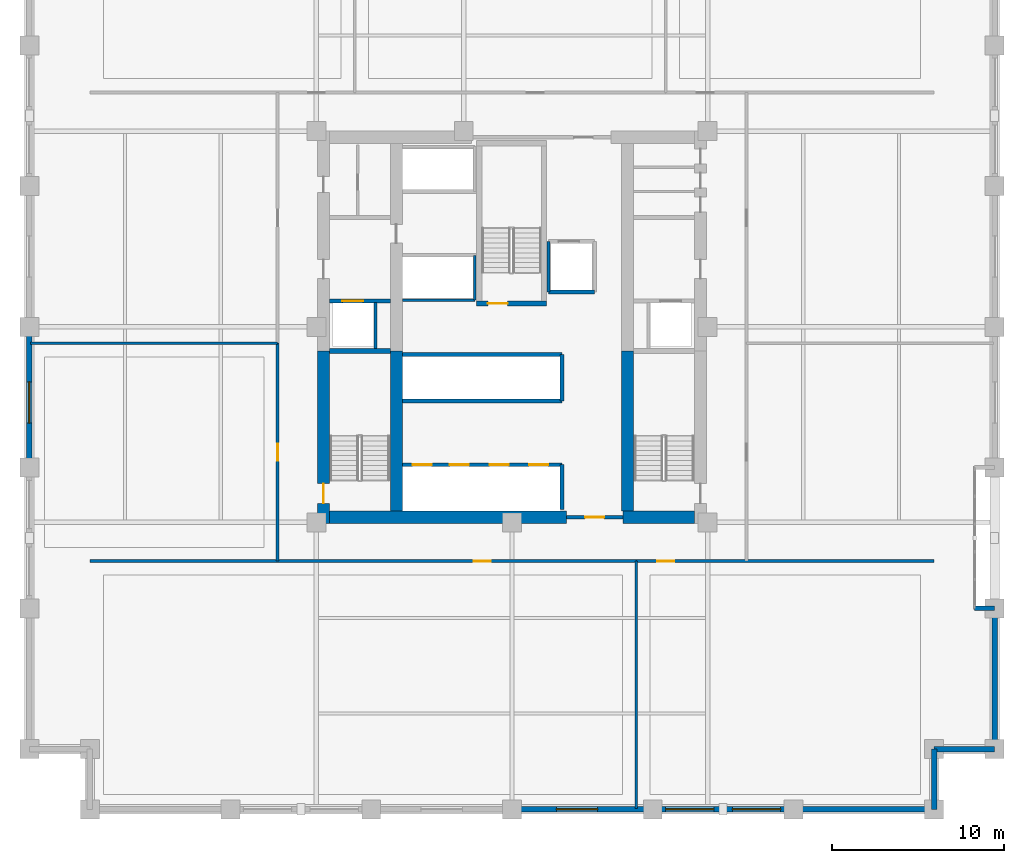
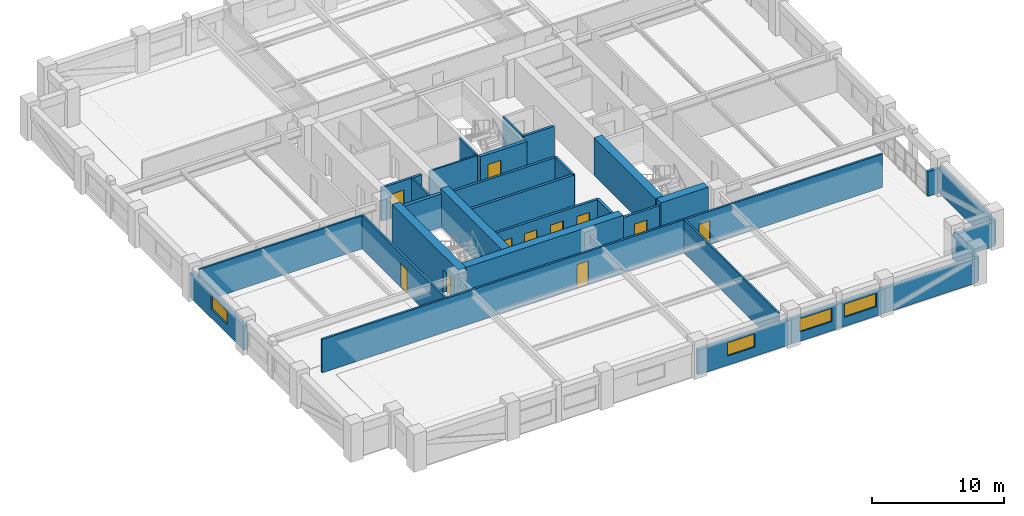
# One storey, part 4 of 12: 32 walls, 11 doors, 4 windows, 15 openings.
"""IFC4 building model written with IfcOpenShell, lengths in metres."""

from ifc_helpers import new_model, si_unit, direction, frame, frame_2d, origin, place, context, subcontext, project, spatial, rectangle, extrude, material, layer, layer_set, type_object, element, fill, save


model = new_model("IFC4")

# Units and contexts
model_context = context("Model", 3, precision=1e-05, world=origin(), true_north=direction((0.0, 1.0)))
body_context = subcontext(model_context, "Body", "Model", "MODEL_VIEW")
ifc_project = project(units=[si_unit("LENGTHUNIT", "METRE"), si_unit("AREAUNIT", "SQUARE_METRE"), si_unit("VOLUMEUNIT", "CUBIC_METRE"), si_unit("PLANEANGLEUNIT", "RADIAN"), si_unit("MASSUNIT", "GRAM", prefix="KILO")], contexts=[model_context])

# Site, building, storey
site_placement = place(None, origin())
site = spatial("IfcSite", under=ifc_project, at=site_placement, CompositionType="ELEMENT")
building_placement = place(site_placement, origin())
building = spatial("IfcBuilding", under=site, at=building_placement, Name="Nhamokura Convention Tower", CompositionType="ELEMENT")
storey_placement = place(building_placement, frame((0.0, 0.0, 96.25)))
storey = spatial("IfcBuildingStorey", under=building, at=storey_placement, Name="L23", CompositionType="ELEMENT", Elevation=96.25)

# Wall, opening, window
ifc_material_1 = material(Name="Bronze-pigmented precast concrete C45/55", Category="concrete")
ifc_layer_1 = layer(ifc_material_1, 0.320068359375)
ifc_layer_set_1 = layer_set([ifc_layer_1], Name="BronzePrecastSpandrel_320")
wall_type_1 = type_object("IfcWallType", Name="BronzePrecastSpandrel_320", PredefinedType="USERDEFINED", material=ifc_layer_set_1)
wall_1_placement = place(storey_placement, frame((40.166748046875, 4.0, 0.0), z_axis=(0.0, 0.0, 1.0), x_axis=(-1.0, 0.0, 0.0)))
wall_1 = element("IfcWall", 1, at=wall_1_placement, inside=storey, type_object=wall_type_1, Name="L23 Masonry-Frame Wall SOUTH 3", ObjectType="SPANDREL_WALL", PredefinedType="USERDEFINED", context=body_context, shape_type="SweptSolid", body=[
    extrude(rectangle(XDim=8.166748046875, YDim=0.320068359375, at=frame_2d((4.08349609375, 0.0))), origin(), (0.0, 0.0, 1.0), 2.280029296875),
])
opening_1_placement = place(wall_1_placement, frame((3.19580078125, 0.0, 0.85009765625)))
opening_1 = element("IfcOpeningElement", 2, at=opening_1_placement, cuts=wall_1, Name="Opening W-03", PredefinedType="OPENING", context=body_context, shape_type="SweptSolid", body=[
    extrude(rectangle(XDim=2.39990234375, YDim=1.22998046875, at=frame_2d((1.199951171875, 0.614990234375))), frame((0.0, 0.169921875, 0.0), z_axis=(0.0, -1.0, 0.0), x_axis=(1.0, 0.0, 0.0)), (0.0, 0.0, 1.0), 0.340087890625),
])
ifc_material_2 = material(Name="Solar-control bronze low-E double glass", Category="glass")
window_type_1 = type_object("IfcWindowType", Name="HotelBayWindow_2400", PartitioningType="DOUBLE_PANEL_VERTICAL", PredefinedType="WINDOW", material=ifc_material_2)
window_1_placement = place(opening_1_placement, origin())
window_1 = element("IfcWindow", 3, at=window_1_placement, inside=storey, type_object=window_type_1, Name="L23 Facade Window SOUTH 3", OverallHeight=1.22998046875, OverallWidth=2.39990234375, PartitioningType="SINGLE_PANEL", PredefinedType="WINDOW", context=body_context, shape_type="SweptSolid", body=[
    extrude(rectangle(XDim=2.39990234375, YDim=1.22998046875, at=frame_2d((1.199951171875, 0.614990234375))), frame((0.0, 0.030029296875, 0.0), z_axis=(0.0, -1.0, 0.0), x_axis=(1.0, 0.0, 0.0)), (0.0, 0.0, 1.0), 0.06005859375),
])
fill(opening_1, window_1)

# Wall, openings, windows
wall_2_placement = place(storey_placement, frame((48.333251953125, 4.0, 0.0), z_axis=(0.0, 0.0, 1.0), x_axis=(-1.0, 0.0, 0.0)))
wall_2 = element("IfcWall", 4, at=wall_2_placement, inside=storey, type_object=wall_type_1, Name="L23 Masonry-Frame Wall SOUTH 4", ObjectType="SPANDREL_WALL", PredefinedType="USERDEFINED", context=body_context, shape_type="SweptSolid", body=[
    extrude(rectangle(XDim=8.16650390625, YDim=0.320068359375, at=frame_2d((4.083251953125, 0.0))), origin(), (0.0, 0.0, 1.0), 2.280029296875),
])
opening_2_placement = place(wall_2_placement, frame((0.74169921875, 0.0, 0.85009765625)))
opening_2 = element("IfcOpeningElement", 5, at=opening_2_placement, cuts=wall_2, Name="Opening W-04", PredefinedType="OPENING", context=body_context, shape_type="SweptSolid", body=[
    extrude(rectangle(XDim=2.800048828125, YDim=1.22998046875, at=frame_2d((1.39990234375, 0.614990234375))), frame((0.0, 0.169921875, 0.0), z_axis=(0.0, -1.0, 0.0), x_axis=(1.0, 0.0, 0.0)), (0.0, 0.0, 1.0), 0.340087890625),
])
opening_3_placement = place(wall_2_placement, frame((4.625, 0.0, 0.85009765625)))
opening_3 = element("IfcOpeningElement", 6, at=opening_3_placement, cuts=wall_2, Name="Opening W-04", PredefinedType="OPENING", context=body_context, shape_type="SweptSolid", body=[
    extrude(rectangle(XDim=2.800048828125, YDim=1.22998046875, at=frame_2d((1.39990234375, 0.614990234375))), frame((0.0, 0.169921875, 0.0), z_axis=(0.0, -1.0, 0.0), x_axis=(1.0, 0.0, 0.0)), (0.0, 0.0, 1.0), 0.340087890625),
])
ifc_material_3 = material(Name="Solar-control bronze low-E double glass", Category="glass")
window_type_2 = type_object("IfcWindowType", Name="HotelSuiteWindow_2800", PartitioningType="DOUBLE_PANEL_VERTICAL", PredefinedType="WINDOW", material=ifc_material_3)
window_2_placement = place(opening_2_placement, origin())
window_2 = element("IfcWindow", 7, at=window_2_placement, inside=storey, type_object=window_type_2, Name="L23 Facade Window SOUTH 4-1", OverallHeight=1.22998046875, OverallWidth=2.800048828125, PartitioningType="SINGLE_PANEL", PredefinedType="WINDOW", context=body_context, shape_type="SweptSolid", body=[
    extrude(rectangle(XDim=2.800048828125, YDim=1.22998046875, at=frame_2d((1.39990234375, 0.614990234375))), frame((0.0, 0.030029296875, 0.0), z_axis=(0.0, -1.0, 0.0), x_axis=(1.0, 0.0, 0.0)), (0.0, 0.0, 1.0), 0.06005859375),
])
fill(opening_2, window_2)
window_3_placement = place(opening_3_placement, origin())
window_3 = element("IfcWindow", 8, at=window_3_placement, inside=storey, type_object=window_type_2, Name="L23 Facade Window SOUTH 4-2", OverallHeight=1.22998046875, OverallWidth=2.800048828125, PartitioningType="SINGLE_PANEL", PredefinedType="WINDOW", context=body_context, shape_type="SweptSolid", body=[
    extrude(rectangle(XDim=2.800048828125, YDim=1.22998046875, at=frame_2d((1.39990234375, 0.614990234375))), frame((0.0, 0.030029296875, 0.0), z_axis=(0.0, -1.0, 0.0), x_axis=(1.0, 0.0, 0.0)), (0.0, 0.0, 1.0), 0.06005859375),
])
fill(opening_3, window_3)

# Wall
wall_3_placement = place(storey_placement, frame((56.5, 4.0, 0.0), z_axis=(0.0, 0.0, 1.0), x_axis=(-1.0, 0.0, 0.0)))
element("IfcWall", 9, at=wall_3_placement, inside=storey, type_object=wall_type_1, Name="L23 Braced-Bay Precast Wall SOUTH 5", ObjectType="SPANDREL_WALL", PredefinedType="USERDEFINED", context=body_context, shape_type="SweptSolid", body=[
    extrude(rectangle(XDim=8.166748046875, YDim=0.320068359375, at=frame_2d((4.08349609375, 0.0))), origin(), (0.0, 0.0, 1.0), 2.280029296875),
])

# Wall, opening, window
wall_4_placement = place(storey_placement, frame((4.0, 23.833251953125, 0.0), z_axis=(0.0, 0.0, 1.0), x_axis=(0.0, 1.0, 0.0)))
wall_4 = element("IfcWall", 10, at=wall_4_placement, inside=storey, type_object=wall_type_1, Name="L23 Masonry-Frame Wall WEST 2", ObjectType="SPANDREL_WALL", PredefinedType="USERDEFINED", context=body_context, shape_type="SweptSolid", body=[
    extrude(rectangle(XDim=8.166748046875, YDim=0.320068359375, at=frame_2d((4.08349609375, 0.0))), origin(), (0.0, 0.0, 1.0), 2.280029296875),
])
opening_4_placement = place(wall_4_placement, frame((2.57080078125, 0.0, 0.85009765625)))
opening_4 = element("IfcOpeningElement", 11, at=opening_4_placement, cuts=wall_4, Name="Opening W-03", PredefinedType="OPENING", context=body_context, shape_type="SweptSolid", body=[
    extrude(rectangle(XDim=2.39990234375, YDim=1.22998046875, at=frame_2d((1.199951171875, 0.614990234375))), frame((0.0, 0.169921875, 0.0), z_axis=(0.0, -1.0, 0.0), x_axis=(1.0, 0.0, 0.0)), (0.0, 0.0, 1.0), 0.340087890625),
])
window_4_placement = place(opening_4_placement, origin())
window_4 = element("IfcWindow", 12, at=window_4_placement, inside=storey, type_object=window_type_1, Name="L23 Facade Window WEST 2", OverallHeight=1.22998046875, OverallWidth=2.39990234375, PartitioningType="SINGLE_PANEL", PredefinedType="WINDOW", context=body_context, shape_type="SweptSolid", body=[
    extrude(rectangle(XDim=2.39990234375, YDim=1.22998046875, at=frame_2d((1.199951171875, 0.614990234375))), frame((0.0, 0.030029296875, 0.0), z_axis=(0.0, -1.0, 0.0), x_axis=(1.0, 0.0, 0.0)), (0.0, 0.0, 1.0), 0.06005859375),
])
fill(opening_4, window_4)

# Walls
wall_5_placement = place(storey_placement, frame((60.0, 15.666748046875, 0.0), z_axis=(0.0, 0.0, 1.0), x_axis=(-1.0, 0.0, 0.0)))
element("IfcWall", 13, at=wall_5_placement, inside=storey, type_object=wall_type_1, Name="L23 Scale Slot Cheek Wall EASTA", ObjectType="SPANDREL_WALL", PredefinedType="USERDEFINED", context=body_context, shape_type="SweptSolid", body=[
    extrude(rectangle(XDim=1.14990234375, YDim=0.239990234375, at=frame_2d((0.574951171875, 0.0))), origin(), (0.0, 0.0, 1.0), 2.280029296875),
])
wall_6_placement = place(storey_placement, frame((60.0, 15.666748046875, 0.0), z_axis=(0.0, 0.0, 1.0), x_axis=(0.0, -1.0, 0.0)))
element("IfcWall", 14, at=wall_6_placement, inside=storey, type_object=wall_type_1, Name="L23 Braced-Bay Precast Wall EAST 0", ObjectType="SPANDREL_WALL", PredefinedType="USERDEFINED", context=body_context, shape_type="SweptSolid", body=[
    extrude(rectangle(XDim=8.166748046875, YDim=0.320068359375, at=frame_2d((4.08349609375, 0.0))), origin(), (0.0, 0.0, 1.0), 2.280029296875),
])
for number, where, z_axis, x_axis, name in (
    (15, (56.5, 7.5, 0.0), (0.0, 0.0, 1.0), (0.0, -1.0, 0.0), "L23 Notched Corner Wall SE1"),
    (16, (60.0, 7.5, 0.0), (0.0, 0.0, 1.0), (-1.0, 0.0, 0.0), "L23 Notched Corner Wall SE2"),
):
    element("IfcWall", number, at=place(storey_placement, frame(where, z_axis=z_axis, x_axis=x_axis)), inside=storey, type_object=wall_type_1, Name=name, ObjectType="SPANDREL_WALL", PredefinedType="USERDEFINED", context=body_context, shape_type="SweptSolid", body=[
        extrude(rectangle(XDim=3.5, YDim=0.320068359375, at=frame_2d((1.75, 0.0))), origin(), (0.0, 0.0, 1.0), 2.280029296875),
    ])

# Wall, opening, door
ifc_material_4 = material(Name="Concrete C70/85", Category="concrete")
ifc_layer_2 = layer(ifc_material_4, 0.699951171875)
ifc_layer_set_2 = layer_set([ifc_layer_2], Name="CoreShearWall_700")
wall_type_2 = type_object("IfcWallType", Name="CoreShearWall_700", PredefinedType="SHEAR", material=ifc_layer_set_2)
wall_7_placement = place(storey_placement, frame((21.06005859375, 20.60009765625, 0.0), z_axis=(0.0, 0.0, 1.0), x_axis=(0.0, 1.0, 0.0)))
wall_7 = element("IfcWall", 17, at=wall_7_placement, inside=storey, type_object=wall_type_2, Name="L23 Core Shear Wall CW-WS", PredefinedType="SHEAR", context=body_context, shape_type="SweptSolid", body=[
    extrude(rectangle(XDim=10.0, YDim=0.699951171875, at=frame_2d((5.0, 0.0))), origin(), (0.0, 0.0, 1.0), 3.5),
])
opening_5_placement = place(wall_7_placement, frame((1.14990234375, 0.0, 0.0)))
opening_5 = element("IfcOpeningElement", 18, at=opening_5_placement, cuts=wall_7, Name="Opening D-04", PredefinedType="OPENING", context=body_context, shape_type="SweptSolid", body=[
    extrude(rectangle(XDim=1.14990234375, YDim=2.14990234375, at=frame_2d((0.574951171875, 1.074951171875))), frame((0.0, 0.35986328125, 0.0), z_axis=(0.0, -1.0, 0.0), x_axis=(1.0, 0.0, 0.0)), (0.0, 0.0, 1.0), 0.719970703125),
])
ifc_material_5 = material(Name="Fire-rated steel door", Category="steel")
door_type_1 = type_object("IfcDoorType", Name="StairSmokeDoor_1150", OperationType="NOTDEFINED", PredefinedType="DOOR", material=ifc_material_5)
door_1_placement = place(opening_5_placement, origin())
door_1 = element("IfcDoor", 19, at=door_1_placement, inside=storey, type_object=door_type_1, Name="L23 Core Door INT-L23-D-ST01", OperationType="SINGLE_SWING_LEFT", OverallHeight=2.14990234375, OverallWidth=1.14990234375, PredefinedType="DOOR", context=body_context, shape_type="SweptSolid", body=[
    extrude(rectangle(XDim=1.14990234375, YDim=2.14990234375, at=frame_2d((0.574951171875, 1.074951171875))), frame((0.0, 0.02490234375, 0.0), z_axis=(0.0, -1.0, 0.0), x_axis=(1.0, 0.0, 0.0)), (0.0, 0.0, 1.0), 0.050048828125),
])
fill(opening_5, door_1)

# Walls
wall_8_placement = place(storey_placement, frame((21.409912109375, 20.949951171875, 0.0), z_axis=(0.0, 0.0, 1.0), x_axis=(1.0, 0.0, 0.0)))
element("IfcWall", 20, at=wall_8_placement, inside=storey, type_object=wall_type_2, Name="L23 Core Shear Wall CW-S1", PredefinedType="SHEAR", context=body_context, shape_type="SweptSolid", body=[
    extrude(rectangle(XDim=13.739990234375, YDim=0.699951171875, at=frame_2d((6.8701171875, 0.0))), origin(), (0.0, 0.0, 1.0), 3.5),
])
wall_9_placement = place(storey_placement, frame((38.449951171875, 20.949951171875, 0.0), z_axis=(0.0, 0.0, 1.0), x_axis=(1.0, 0.0, 0.0)))
element("IfcWall", 21, at=wall_9_placement, inside=storey, type_object=wall_type_2, Name="L23 Core Shear Wall CW-S2", PredefinedType="SHEAR", context=body_context, shape_type="SweptSolid", body=[
    extrude(rectangle(XDim=4.14013671875, YDim=0.699951171875, at=frame_2d((2.070068359375, 0.0))), origin(), (0.0, 0.0, 1.0), 3.5),
])
for number, where, z_axis, x_axis, name in (
    (22, (25.2900390625, 21.300048828125, 0.0), (0.0, 0.0, 1.0), (0.0, 1.0, 0.0), "L23 Core Shear Wall CW-IWS"),
    (23, (38.7099609375, 21.300048828125, 0.0), (0.0, 0.0, 1.0), (0.0, 1.0, 0.0), "L23 Core Shear Wall CW-IES"),
):
    element("IfcWall", number, at=place(storey_placement, frame(where, z_axis=z_axis, x_axis=x_axis)), inside=storey, type_object=wall_type_2, Name=name, PredefinedType="SHEAR", context=body_context, shape_type="SweptSolid", body=[
        extrude(rectangle(XDim=9.300048828125, YDim=0.699951171875, at=frame_2d((4.64990234375, 0.0))), origin(), (0.0, 0.0, 1.0), 3.5),
    ])

# Wall, opening, door
ifc_material_6 = material(Name="Fire-rated gypsum and masonry partition", Category="masonry")
ifc_layer_3 = layer(ifc_material_6, 0.179931640625)
ifc_layer_set_3 = layer_set([ifc_layer_3], Name="CorridorRatedWall_180")
wall_type_3 = type_object("IfcWallType", Name="CorridorRatedWall_180", PredefinedType="STANDARD", material=ifc_layer_set_3)
wall_10_placement = place(storey_placement, frame((7.5, 18.39990234375, 0.0), z_axis=(0.0, 0.0, 1.0), x_axis=(1.0, 0.0, 0.0)))
wall_10 = element("IfcWall", 24, at=wall_10_placement, inside=storey, type_object=wall_type_3, Name="L23 Wall INT-L23-CW-S00", PredefinedType="STANDARD", context=body_context, shape_type="SweptSolid", body=[
    extrude(rectangle(XDim=31.716796875, YDim=0.179931640625, at=frame_2d((15.8583984375, 0.0))), origin(), (0.0, 0.0, 1.0), 3.080078125),
])
opening_6_placement = place(wall_10_placement, frame((22.283447265625, 0.0, 0.0)))
opening_6 = element("IfcOpeningElement", 25, at=opening_6_placement, cuts=wall_10, Name="Opening D-08", PredefinedType="OPENING", context=body_context, shape_type="SweptSolid", body=[
    extrude(rectangle(XDim=0.97998046875, YDim=2.199951171875, at=frame_2d((0.489990234375, 1.10009765625))), frame((0.0, 0.099853515625, 0.0), z_axis=(0.0, -1.0, 0.0), x_axis=(1.0, 0.0, 0.0)), (0.0, 0.0, 1.0), 0.199951171875),
])
ifc_material_7 = material(Name="Solid oak hardwood", Category="wood")
door_type_2 = type_object("IfcDoorType", Name="OfficeEntryDoor_980", OperationType="NOTDEFINED", PredefinedType="DOOR", material=ifc_material_7)
door_2_placement = place(opening_6_placement, origin())
door_2 = element("IfcDoor", 26, at=door_2_placement, inside=storey, type_object=door_type_2, Name="L23 Hotel Sky Club Lounge S01 Door", OperationType="SINGLE_SWING_LEFT", OverallHeight=2.199951171875, OverallWidth=0.97998046875, PredefinedType="DOOR", context=body_context, shape_type="SweptSolid", body=[
    extrude(rectangle(XDim=0.97998046875, YDim=2.199951171875, at=frame_2d((0.489990234375, 1.10009765625))), frame((0.0, 0.02490234375, 0.0), z_axis=(0.0, -1.0, 0.0), x_axis=(1.0, 0.0, 0.0)), (0.0, 0.0, 1.0), 0.050048828125),
])
fill(opening_6, door_2)

wall_11_placement = place(storey_placement, frame((39.216796875, 18.39990234375, 0.0), z_axis=(0.0, 0.0, 1.0), x_axis=(1.0, 0.0, 0.0)))
wall_11 = element("IfcWall", 27, at=wall_11_placement, inside=storey, type_object=wall_type_3, Name="L23 Wall INT-L23-CW-S01", PredefinedType="STANDARD", context=body_context, shape_type="SweptSolid", body=[
    extrude(rectangle(XDim=17.283203125, YDim=0.179931640625, at=frame_2d((8.6416015625, 0.0))), origin(), (0.0, 0.0, 1.0), 3.080078125),
])
opening_7_placement = place(wall_11_placement, frame((1.216796875, 0.0, 0.0)))
opening_7 = element("IfcOpeningElement", 28, at=opening_7_placement, cuts=wall_11, Name="Opening D-08", PredefinedType="OPENING", context=body_context, shape_type="SweptSolid", body=[
    extrude(rectangle(XDim=0.97998046875, YDim=2.199951171875, at=frame_2d((0.489990234375, 1.10009765625))), frame((0.0, 0.099853515625, 0.0), z_axis=(0.0, -1.0, 0.0), x_axis=(1.0, 0.0, 0.0)), (0.0, 0.0, 1.0), 0.199951171875),
])
door_3_placement = place(opening_7_placement, origin())
door_3 = element("IfcDoor", 29, at=door_3_placement, inside=storey, type_object=door_type_2, Name="L23 Private Dining Room S02 Door", OperationType="SINGLE_SWING_RIGHT", OverallHeight=2.199951171875, OverallWidth=0.97998046875, PredefinedType="DOOR", context=body_context, shape_type="SweptSolid", body=[
    extrude(rectangle(XDim=0.97998046875, YDim=2.199951171875, at=frame_2d((0.489990234375, 1.10009765625))), frame((0.0, 0.02490234375, 0.0), z_axis=(0.0, -1.0, 0.0), x_axis=(1.0, 0.0, 0.0)), (0.0, 0.0, 1.0), 0.050048828125),
])
fill(opening_7, door_3)

wall_12_placement = place(storey_placement, frame((18.39990234375, 18.39990234375, 0.0), z_axis=(0.0, 0.0, 1.0), x_axis=(0.0, 1.0, 0.0)))
wall_12 = element("IfcWall", 30, at=wall_12_placement, inside=storey, type_object=wall_type_3, Name="L23 Wall INT-L23-CW-W00", PredefinedType="STANDARD", context=body_context, shape_type="SweptSolid", body=[
    extrude(rectangle(XDim=12.650146484375, YDim=0.179931640625, at=frame_2d((6.3251953125, 0.0))), origin(), (0.0, 0.0, 1.0), 3.080078125),
])
opening_8_placement = place(wall_12_placement, frame((5.824951171875, 0.0, 0.0)))
opening_8 = element("IfcOpeningElement", 31, at=opening_8_placement, cuts=wall_12, Name="Opening D-08", PredefinedType="OPENING", context=body_context, shape_type="SweptSolid", body=[
    extrude(rectangle(XDim=0.97998046875, YDim=2.199951171875, at=frame_2d((0.489990234375, 1.10009765625))), frame((0.0, 0.099853515625, 0.0), z_axis=(0.0, -1.0, 0.0), x_axis=(1.0, 0.0, 0.0)), (0.0, 0.0, 1.0), 0.199951171875),
])
door_4_placement = place(opening_8_placement, origin())
door_4 = element("IfcDoor", 32, at=door_4_placement, inside=storey, type_object=door_type_2, Name="L23 Club Kitchen W01 Door", OperationType="SINGLE_SWING_LEFT", OverallHeight=2.199951171875, OverallWidth=0.97998046875, PredefinedType="DOOR", context=body_context, shape_type="SweptSolid", body=[
    extrude(rectangle(XDim=0.97998046875, YDim=2.199951171875, at=frame_2d((0.489990234375, 1.10009765625))), frame((0.0, 0.02490234375, 0.0), z_axis=(0.0, -1.0, 0.0), x_axis=(1.0, 0.0, 0.0)), (0.0, 0.0, 1.0), 0.050048828125),
])
fill(opening_8, door_4)

ifc_material_8 = material(Name="Autoclaved concrete blockwork", Category="masonry")
ifc_layer_4 = layer(ifc_material_8, 0.219970703125)
ifc_layer_set_4 = layer_set([ifc_layer_4], Name="FireLobbyWall_220")
wall_type_4 = type_object("IfcWallType", Name="FireLobbyWall_220", PredefinedType="STANDARD", material=ifc_layer_set_4)
wall_13_placement = place(storey_placement, frame((21.409912109375, 33.5, 0.0), z_axis=(0.0, 0.0, 1.0), x_axis=(1.0, 0.0, 0.0)))
wall_13 = element("IfcWall", 33, at=wall_13_placement, inside=storey, type_object=wall_type_4, Name="L23 Wall INT-L23-FFW-S", PredefinedType="STANDARD", context=body_context, shape_type="SweptSolid", body=[
    extrude(rectangle(XDim=3.530029296875, YDim=0.219970703125, at=frame_2d((1.76513671875, 0.0))), origin(), (0.0, 0.0, 1.0), 3.080078125),
])
opening_9_placement = place(wall_13_placement, frame((0.75, 0.0, 0.0)))
opening_9 = element("IfcOpeningElement", 34, at=opening_9_placement, cuts=wall_13, Name="Opening LD-02", PredefinedType="OPENING", context=body_context, shape_type="SweptSolid", body=[
    extrude(rectangle(XDim=1.199951171875, YDim=2.199951171875, at=frame_2d((0.60009765625, 1.10009765625))), frame((0.0, 0.119873046875, 0.0), z_axis=(0.0, -1.0, 0.0), x_axis=(1.0, 0.0, 0.0)), (0.0, 0.0, 1.0), 0.239990234375),
])
ifc_material_9 = material(Name="Anodised bronze stainless steel", Category="steel")
door_type_3 = type_object("IfcDoorType", Name="LiftLandingDoor_FireService", OperationType="DOUBLE_DOOR_SLIDING", PredefinedType="DOOR", material=ifc_material_9)
door_5_placement = place(opening_9_placement, origin())
door_5 = element("IfcDoor", 35, at=door_5_placement, inside=storey, type_object=door_type_3, Name="L23 Firefighting Lift LF-01 Door", OperationType="DOUBLE_DOOR_SLIDING", OverallHeight=2.199951171875, OverallWidth=1.199951171875, PredefinedType="DOOR", context=body_context, shape_type="SweptSolid", body=[
    extrude(rectangle(XDim=1.199951171875, YDim=2.199951171875, at=frame_2d((0.60009765625, 1.10009765625))), frame((0.0, 0.02490234375, 0.0), z_axis=(0.0, -1.0, 0.0), x_axis=(1.0, 0.0, 0.0)), (0.0, 0.0, 1.0), 0.050048828125),
])
fill(opening_9, door_5)

wall_14_placement = place(storey_placement, frame((35.14990234375, 20.949951171875, 0.0), z_axis=(0.0, 0.0, 1.0), x_axis=(1.0, 0.0, 0.0)))
wall_14 = element("IfcWall", 36, at=wall_14_placement, inside=storey, type_object=wall_type_4, Name="L23 Wall INT-L23-SPORT-S", PredefinedType="STANDARD", context=body_context, shape_type="SweptSolid", body=[
    extrude(rectangle(XDim=3.300048828125, YDim=0.219970703125, at=frame_2d((1.64990234375, 0.0))), origin(), (0.0, 0.0, 1.0), 3.080078125),
])
opening_10_placement = place(wall_14_placement, frame((1.10009765625, 0.0, 0.0)))
opening_10 = element("IfcOpeningElement", 37, at=opening_10_placement, cuts=wall_14, Name="Opening D-05", PredefinedType="OPENING", context=body_context, shape_type="SweptSolid", body=[
    extrude(rectangle(XDim=1.10009765625, YDim=2.14990234375, at=frame_2d((0.550048828125, 1.074951171875))), frame((0.0, 0.119873046875, 0.0), z_axis=(0.0, -1.0, 0.0), x_axis=(1.0, 0.0, 0.0)), (0.0, 0.0, 1.0), 0.239990234375),
])
ifc_material_10 = material(Name="Fire-rated steel door", Category="steel")
door_type_4 = type_object("IfcDoorType", Name="FireLobbyDoor_1100", OperationType="NOTDEFINED", PredefinedType="DOOR", material=ifc_material_10)
door_6_placement = place(opening_10_placement, origin())
door_6 = element("IfcDoor", 38, at=door_6_placement, inside=storey, type_object=door_type_4, Name="L23 South Core Lobby Portal Door", OperationType="SINGLE_SWING_LEFT", OverallHeight=2.14990234375, OverallWidth=1.10009765625, PredefinedType="DOOR", context=body_context, shape_type="SweptSolid", body=[
    extrude(rectangle(XDim=1.10009765625, YDim=2.14990234375, at=frame_2d((0.550048828125, 1.074951171875))), frame((0.0, 0.02490234375, 0.0), z_axis=(0.0, -1.0, 0.0), x_axis=(1.0, 0.0, 0.0)), (0.0, 0.0, 1.0), 0.050048828125),
])
fill(opening_10, door_6)

# Wall, openings, doors
wall_15_placement = place(storey_placement, frame((25.64990234375, 24.0, 0.0), z_axis=(0.0, 0.0, 1.0), x_axis=(1.0, 0.0, 0.0)))
wall_15 = element("IfcWall", 39, at=wall_15_placement, inside=storey, type_object=wall_type_4, Name="L23 Wall INT-L23-B1N", PredefinedType="STANDARD", context=body_context, shape_type="SweptSolid", body=[
    extrude(rectangle(XDim=9.25, YDim=0.219970703125, at=frame_2d((4.625, 0.0))), origin(), (0.0, 0.0, 1.0), 3.080078125),
])
opening_11_placement = place(wall_15_placement, frame((0.580078125, 0.0, 0.0)))
opening_11 = element("IfcOpeningElement", 40, at=opening_11_placement, cuts=wall_15, Name="Opening LD-01", PredefinedType="OPENING", context=body_context, shape_type="SweptSolid", body=[
    extrude(rectangle(XDim=1.10009765625, YDim=2.14990234375, at=frame_2d((0.550048828125, 1.074951171875))), frame((0.0, 0.119873046875, 0.0), z_axis=(0.0, -1.0, 0.0), x_axis=(1.0, 0.0, 0.0)), (0.0, 0.0, 1.0), 0.239990234375),
])
opening_12_placement = place(wall_15_placement, frame((2.75, 0.0, 0.0)))
opening_12 = element("IfcOpeningElement", 41, at=opening_12_placement, cuts=wall_15, Name="Opening LD-01", PredefinedType="OPENING", context=body_context, shape_type="SweptSolid", body=[
    extrude(rectangle(XDim=1.10009765625, YDim=2.14990234375, at=frame_2d((0.550048828125, 1.074951171875))), frame((0.0, 0.119873046875, 0.0), z_axis=(0.0, -1.0, 0.0), x_axis=(1.0, 0.0, 0.0)), (0.0, 0.0, 1.0), 0.239990234375),
])
opening_13_placement = place(wall_15_placement, frame((5.050048828125, 0.0, 0.0)))
opening_13 = element("IfcOpeningElement", 42, at=opening_13_placement, cuts=wall_15, Name="Opening LD-01", PredefinedType="OPENING", context=body_context, shape_type="SweptSolid", body=[
    extrude(rectangle(XDim=1.10009765625, YDim=2.14990234375, at=frame_2d((0.550048828125, 1.074951171875))), frame((0.0, 0.119873046875, 0.0), z_axis=(0.0, -1.0, 0.0), x_axis=(1.0, 0.0, 0.0)), (0.0, 0.0, 1.0), 0.239990234375),
])
opening_14_placement = place(wall_15_placement, frame((7.35009765625, 0.0, 0.0)))
opening_14 = element("IfcOpeningElement", 43, at=opening_14_placement, cuts=wall_15, Name="Opening LD-01", PredefinedType="OPENING", context=body_context, shape_type="SweptSolid", body=[
    extrude(rectangle(XDim=1.10009765625, YDim=2.14990234375, at=frame_2d((0.550048828125, 1.074951171875))), frame((0.0, 0.119873046875, 0.0), z_axis=(0.0, -1.0, 0.0), x_axis=(1.0, 0.0, 0.0)), (0.0, 0.0, 1.0), 0.239990234375),
])
ifc_material_11 = material(Name="Anodised bronze stainless steel", Category="steel")
door_type_5 = type_object("IfcDoorType", Name="LiftLandingDoor_Passenger", OperationType="DOUBLE_DOOR_SLIDING", PredefinedType="DOOR", material=ifc_material_11)
door_7_placement = place(opening_11_placement, origin())
door_7 = element("IfcDoor", 44, at=door_7_placement, inside=storey, type_object=door_type_5, Name="L23 Lift LP-01 Landing Door", OperationType="DOUBLE_DOOR_SLIDING", OverallHeight=2.14990234375, OverallWidth=1.10009765625, PredefinedType="DOOR", context=body_context, shape_type="SweptSolid", body=[
    extrude(rectangle(XDim=1.10009765625, YDim=2.14990234375, at=frame_2d((0.550048828125, 1.074951171875))), frame((0.0, 0.02490234375, 0.0), z_axis=(0.0, -1.0, 0.0), x_axis=(1.0, 0.0, 0.0)), (0.0, 0.0, 1.0), 0.050048828125),
])
fill(opening_11, door_7)
door_8_placement = place(opening_12_placement, origin())
door_8 = element("IfcDoor", 45, at=door_8_placement, inside=storey, type_object=door_type_5, Name="L23 Lift LP-02 Landing Door", OperationType="DOUBLE_DOOR_SLIDING", OverallHeight=2.14990234375, OverallWidth=1.10009765625, PredefinedType="DOOR", context=body_context, shape_type="SweptSolid", body=[
    extrude(rectangle(XDim=1.10009765625, YDim=2.14990234375, at=frame_2d((0.550048828125, 1.074951171875))), frame((0.0, 0.02490234375, 0.0), z_axis=(0.0, -1.0, 0.0), x_axis=(1.0, 0.0, 0.0)), (0.0, 0.0, 1.0), 0.050048828125),
])
fill(opening_12, door_8)
door_9_placement = place(opening_13_placement, origin())
door_9 = element("IfcDoor", 46, at=door_9_placement, inside=storey, type_object=door_type_5, Name="L23 Lift LP-03 Landing Door", OperationType="DOUBLE_DOOR_SLIDING", OverallHeight=2.14990234375, OverallWidth=1.10009765625, PredefinedType="DOOR", context=body_context, shape_type="SweptSolid", body=[
    extrude(rectangle(XDim=1.10009765625, YDim=2.14990234375, at=frame_2d((0.550048828125, 1.074951171875))), frame((0.0, 0.02490234375, 0.0), z_axis=(0.0, -1.0, 0.0), x_axis=(1.0, 0.0, 0.0)), (0.0, 0.0, 1.0), 0.050048828125),
])
fill(opening_13, door_9)
door_10_placement = place(opening_14_placement, origin())
door_10 = element("IfcDoor", 47, at=door_10_placement, inside=storey, type_object=door_type_5, Name="L23 Lift LP-04 Landing Door", OperationType="DOUBLE_DOOR_SLIDING", OverallHeight=2.14990234375, OverallWidth=1.10009765625, PredefinedType="DOOR", context=body_context, shape_type="SweptSolid", body=[
    extrude(rectangle(XDim=1.10009765625, YDim=2.14990234375, at=frame_2d((0.550048828125, 1.074951171875))), frame((0.0, 0.02490234375, 0.0), z_axis=(0.0, -1.0, 0.0), x_axis=(1.0, 0.0, 0.0)), (0.0, 0.0, 1.0), 0.050048828125),
])
fill(opening_14, door_10)

# Walls
wall_16_placement = place(storey_placement, frame((34.89990234375, 21.39990234375, 0.0), z_axis=(0.0, 0.0, 1.0), x_axis=(0.0, 1.0, 0.0)))
element("IfcWall", 48, at=wall_16_placement, inside=storey, type_object=wall_type_4, Name="L23 Wall INT-L23-B1E", PredefinedType="STANDARD", context=body_context, shape_type="SweptSolid", body=[
    extrude(rectangle(XDim=2.60009765625, YDim=0.219970703125, at=frame_2d((1.300048828125, 0.0))), origin(), (0.0, 0.0, 1.0), 3.080078125),
])
for number, where, z_axis, x_axis, name in (
    (49, (25.64990234375, 27.699951171875, 0.0), (0.0, 0.0, 1.0), (1.0, 0.0, 0.0), "L23 Wall INT-L23-B2S"),
    (50, (25.64990234375, 30.39990234375, 0.0), (0.0, 0.0, 1.0), (1.0, 0.0, 0.0), "L23 Wall INT-L23-B2N"),
):
    element("IfcWall", number, at=place(storey_placement, frame(where, z_axis=z_axis, x_axis=x_axis)), inside=storey, type_object=wall_type_4, Name=name, PredefinedType="STANDARD", context=body_context, shape_type="SweptSolid", body=[
        extrude(rectangle(XDim=9.25, YDim=0.219970703125, at=frame_2d((4.625, 0.0))), origin(), (0.0, 0.0, 1.0), 3.080078125),
    ])
wall_17_placement = place(storey_placement, frame((34.89990234375, 27.699951171875, 0.0), z_axis=(0.0, 0.0, 1.0), x_axis=(0.0, 1.0, 0.0)))
element("IfcWall", 51, at=wall_17_placement, inside=storey, type_object=wall_type_4, Name="L23 Wall INT-L23-B2E", PredefinedType="STANDARD", context=body_context, shape_type="SweptSolid", body=[
    extrude(rectangle(XDim=2.699951171875, YDim=0.219970703125, at=frame_2d((1.35009765625, 0.0))), origin(), (0.0, 0.0, 1.0), 3.080078125),
])
wall_18_placement = place(storey_placement, frame((34.1201171875, 34.02001953125, 0.0), z_axis=(0.0, 0.0, 1.0), x_axis=(1.0, 0.0, 0.0)))
element("IfcWall", 52, at=wall_18_placement, inside=storey, type_object=wall_type_4, Name="L23 Wall INT-L23-LSS", PredefinedType="STANDARD", context=body_context, shape_type="SweptSolid", body=[
    extrude(rectangle(XDim=2.679931640625, YDim=0.219970703125, at=frame_2d((1.33984375, 0.0))), origin(), (0.0, 0.0, 1.0), 3.080078125),
])
ifc_material_12 = material(Name="Acoustic gypsum stud partition", Category="masonry")
ifc_layer_5 = layer(ifc_material_12, 0.14990234375)
ifc_layer_set_5 = layer_set([ifc_layer_5], Name="InteriorPartition_150")
wall_type_5 = type_object("IfcWallType", Name="InteriorPartition_150", PredefinedType="STANDARD", material=ifc_layer_set_5)
wall_19_placement = place(storey_placement, frame((24.080078125, 30.75, 0.0), z_axis=(0.0, 0.0, 1.0), x_axis=(0.0, 1.0, 0.0)))
element("IfcWall", 53, at=wall_19_placement, inside=storey, type_object=wall_type_5, Name="L23 Wall INT-L23-FF1-E", PredefinedType="STANDARD", context=body_context, shape_type="SweptSolid", body=[
    extrude(rectangle(XDim=2.64990234375, YDim=0.14990234375, at=frame_2d((1.324951171875, 0.0))), origin(), (0.0, 0.0, 1.0), 3.080078125),
])
wall_20_placement = place(storey_placement, frame((25.64990234375, 33.550048828125, 0.0), z_axis=(0.0, 0.0, 1.0), x_axis=(1.0, 0.0, 0.0)))
element("IfcWall", 54, at=wall_20_placement, inside=storey, type_object=wall_type_5, Name="L23 Wall INT-L23-B3A-S", PredefinedType="STANDARD", context=body_context, shape_type="SweptSolid", body=[
    extrude(rectangle(XDim=4.2001953125, YDim=0.14990234375, at=frame_2d((2.10009765625, 0.0))), origin(), (0.0, 0.0, 1.0), 3.080078125),
])
wall_21_placement = place(storey_placement, frame((29.85009765625, 33.550048828125, 0.0), z_axis=(0.0, 0.0, 1.0), x_axis=(0.0, 1.0, 0.0)))
element("IfcWall", 55, at=wall_21_placement, inside=storey, type_object=wall_type_5, Name="L23 Wall INT-L23-B3A-E", PredefinedType="STANDARD", context=body_context, shape_type="SweptSolid", body=[
    extrude(rectangle(XDim=2.599853515625, YDim=0.14990234375, at=frame_2d((1.2998046875, 0.0))), origin(), (0.0, 0.0, 1.0), 3.080078125),
])
wall_22_placement = place(storey_placement, frame((34.1201171875, 34.02001953125, 0.0), z_axis=(0.0, 0.0, 1.0), x_axis=(0.0, 1.0, 0.0)))
element("IfcWall", 56, at=wall_22_placement, inside=storey, type_object=wall_type_5, Name="L23 Wall INT-L23-LSW", PredefinedType="STANDARD", context=body_context, shape_type="SweptSolid", body=[
    extrude(rectangle(XDim=2.929931640625, YDim=0.14990234375, at=frame_2d((1.46484375, 0.0))), origin(), (0.0, 0.0, 1.0), 3.080078125),
])
for number, where, z_axis, x_axis, name in (
    (57, (39.216796875, 4.06005859375, 0.0), (0.0, 0.0, 1.0), (0.0, 1.0, 0.0), "L23 Wall INT-L23-RW-S01"),
    (58, (4.06005859375, 31.050048828125, 0.0), (0.0, 0.0, 1.0), (1.0, 0.0, 0.0), "L23 Wall INT-L23-RW-W01"),
):
    element("IfcWall", number, at=place(storey_placement, frame(where, z_axis=z_axis, x_axis=x_axis)), inside=storey, type_object=wall_type_5, Name=name, PredefinedType="STANDARD", context=body_context, shape_type="SweptSolid", body=[
        extrude(rectangle(XDim=14.33984375, YDim=0.14990234375, at=frame_2d((7.169921875, 0.0))), origin(), (0.0, 0.0, 1.0), 3.080078125),
    ])
ifc_material_13 = material(Name="Concrete C50/60", Category="concrete")
ifc_layer_6 = layer(ifc_material_13, 0.300048828125)
ifc_layer_set_6 = layer_set([ifc_layer_6], Name="ShaftEnclosureWall_300")
wall_type_6 = type_object("IfcWallType", Name="ShaftEnclosureWall_300", PredefinedType="SHEAR", material=ifc_layer_set_6)
wall_23_placement = place(storey_placement, frame((21.409912109375, 30.60009765625, 0.0), z_axis=(0.0, 0.0, 1.0), x_axis=(1.0, 0.0, 0.0)))
element("IfcWall", 59, at=wall_23_placement, inside=storey, type_object=wall_type_6, Name="L23 Wall INT-L23-ST01-N", PredefinedType="SHEAR", context=body_context, shape_type="SweptSolid", body=[
    extrude(rectangle(XDim=3.530029296875, YDim=0.300048828125, at=frame_2d((1.76513671875, 0.0))), origin(), (0.0, 0.0, 1.0), 3.080078125),
])

# Wall, opening, door
wall_24_placement = place(storey_placement, frame((29.949951171875, 33.35009765625, 0.0), z_axis=(0.0, 0.0, 1.0), x_axis=(1.0, 0.0, 0.0)))
wall_24 = element("IfcWall", 60, at=wall_24_placement, inside=storey, type_object=wall_type_6, Name="L23 Wall INT-L23-ST03S", PredefinedType="SHEAR", context=body_context, shape_type="SweptSolid", body=[
    extrude(rectangle(XDim=4.050048828125, YDim=0.300048828125, at=frame_2d((2.02490234375, 0.0))), origin(), (0.0, 0.0, 1.0), 3.080078125),
])
opening_15_placement = place(wall_24_placement, frame((0.64990234375, 0.0, 0.0)))
opening_15 = element("IfcOpeningElement", 61, at=opening_15_placement, cuts=wall_24, Name="Opening D-04", PredefinedType="OPENING", context=body_context, shape_type="SweptSolid", body=[
    extrude(rectangle(XDim=1.14990234375, YDim=2.14990234375, at=frame_2d((0.574951171875, 1.074951171875))), frame((0.0, 0.159912109375, 0.0), z_axis=(0.0, -1.0, 0.0), x_axis=(1.0, 0.0, 0.0)), (0.0, 0.0, 1.0), 0.320068359375),
])
door_11_placement = place(opening_15_placement, origin())
door_11 = element("IfcDoor", 62, at=door_11_placement, inside=storey, type_object=door_type_1, Name="L23 Stair ST-03 Smoke Door", OperationType="SINGLE_SWING_LEFT", OverallHeight=2.14990234375, OverallWidth=1.14990234375, PredefinedType="DOOR", context=body_context, shape_type="SweptSolid", body=[
    extrude(rectangle(XDim=1.14990234375, YDim=2.14990234375, at=frame_2d((0.574951171875, 1.074951171875))), frame((0.0, 0.02490234375, 0.0), z_axis=(0.0, -1.0, 0.0), x_axis=(1.0, 0.0, 0.0)), (0.0, 0.0, 1.0), 0.050048828125),
])
fill(opening_15, door_11)

save(model, "model.ifc")
